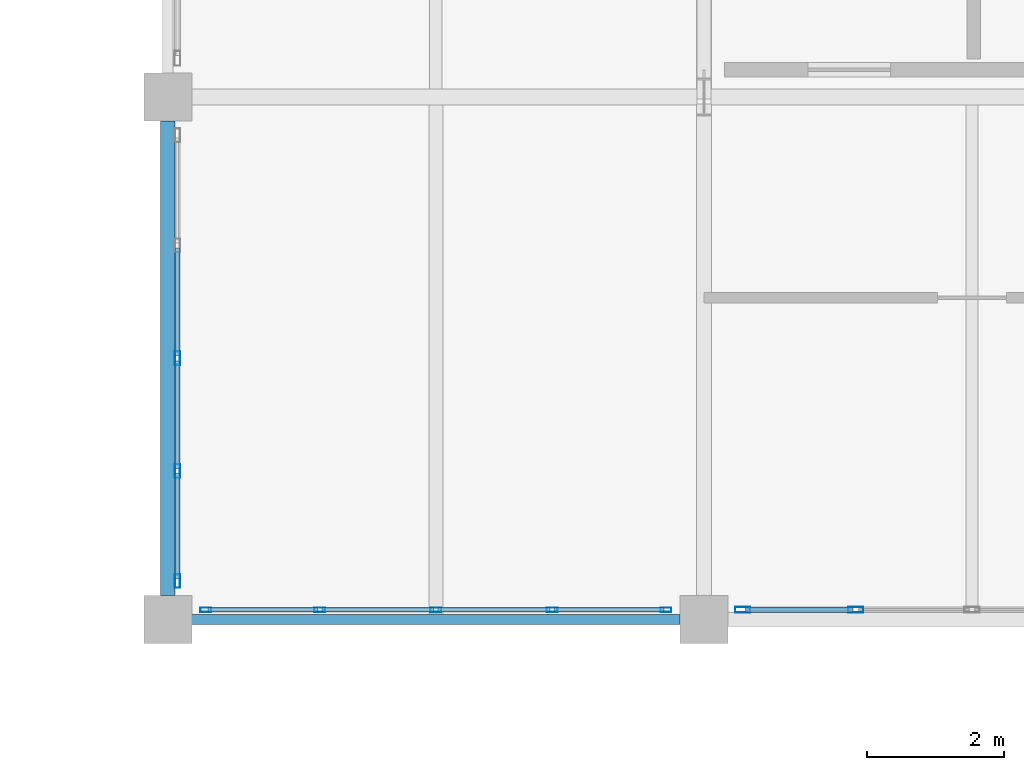
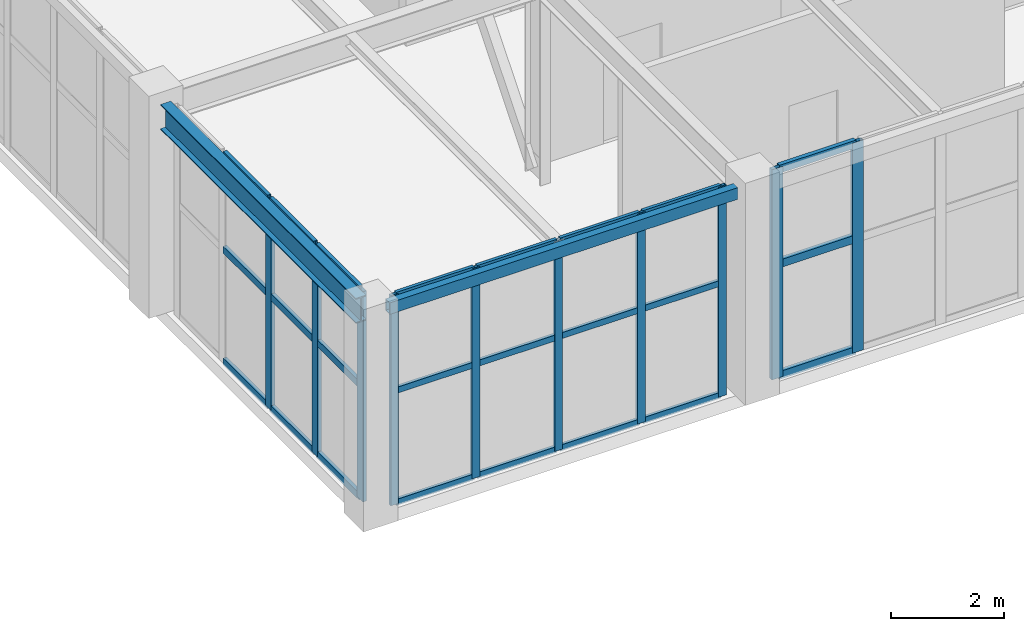
# One storey, part 41 of 72: 34 members, 2 beams, 3 elements without a shape of their own.
"""IFC4 building model written with IfcOpenShell, lengths in metres."""

from ifc_helpers import new_model, si_unit, direction, frame, origin, origin_2d, place, context, subcontext, project, spatial, hollow_rectangle, i_section, extrude, material, layer, layer_set, material_profile, profile_set, type_object, element, aggregate, save


model = new_model("IFC4")

# Units and contexts
model_context = context("Model", 3, precision=1e-05, world=origin(), true_north=direction((0.0, 1.0)))
body_context = subcontext(model_context, "Body", "Model", "MODEL_VIEW")
ifc_project = project(units=[si_unit("LENGTHUNIT", "METRE"), si_unit("AREAUNIT", "SQUARE_METRE"), si_unit("VOLUMEUNIT", "CUBIC_METRE"), si_unit("PLANEANGLEUNIT", "RADIAN"), si_unit("MASSUNIT", "GRAM", prefix="KILO")], contexts=[model_context])

# Site, building, storey
site_placement = place(None, origin())
site = spatial("IfcSite", under=ifc_project, at=site_placement, CompositionType="ELEMENT")
building_placement = place(site_placement, origin())
building = spatial("IfcBuilding", under=site, at=building_placement, Name="Xicomal Pleat Aquarium", CompositionType="ELEMENT")
storey_placement = place(building_placement, frame((0.0, 0.0, 10.5)))
storey = spatial("IfcBuildingStorey", under=building, at=storey_placement, Name="L03", CompositionType="ELEMENT", Elevation=10.5)

# Beams
ifc_material_1 = material(Name="Structural steel A992 Gr 50", Category="steel")
ifc_material_profile_1 = material_profile(ifc_material_1, i_section(OverallWidth=0.2119140625, OverallDepth=0.5439453125, WebThickness=0.01318359375, FlangeThickness=0.021240234375, at=origin_2d()), Name="IR 530x123")
ifc_profile_set_1 = profile_set([ifc_material_profile_1], Name="Structural steel A992 Gr 50")
beam_type_1 = type_object("IfcBeamType", Name="BM-STL-IR530", PredefinedType="BEAM", material=ifc_profile_set_1)
beam_1_placement = place(storey_placement, frame((133.800048828125, 76.344970703125, 4.26806640625), z_axis=(0.0, 1.0, 0.0), x_axis=(-1.0, 0.0, 0.0)))
element("IfcBeam", 1, at=beam_1_placement, inside=storey, type_object=beam_type_1, Name="L03 framing beam FGY-L03-17-L-M", PredefinedType="BEAM", context=body_context, shape_type="SweptSolid", body=[
    extrude(i_section(OverallWidth=0.2119140625, OverallDepth=0.5439453125, WebThickness=0.01318359375, FlangeThickness=0.021240234375, at=origin_2d()), origin(), (0.0, 0.0, 1.0), 6.909912109375),
])
ifc_material_2 = material(Name="Structural steel A500 Gr C", Category="steel")
ifc_material_profile_2 = material_profile(ifc_material_2, hollow_rectangle(XDim=0.14990234375, YDim=0.25, WallThickness=0.010009765625, at=origin_2d()), Name="OR 250x150x10")
ifc_profile_set_2 = profile_set([ifc_material_profile_2], Name="Structural steel A500 Gr C")
beam_type_2 = type_object("IfcBeamType", Name="BM-STL-OR250", PredefinedType="SPANDREL", material=ifc_profile_set_2)
beam_2_placement = place(storey_placement, frame((134.14501953125, 76.0, 4.4150390625), z_axis=(1.0, 0.0, 0.0), x_axis=(0.0, 1.0, 0.0)))
element("IfcBeam", 2, at=beam_2_placement, inside=storey, type_object=beam_type_2, Name="L03 framing beam FGX-L03-17-18-L", PredefinedType="SPANDREL", context=body_context, shape_type="SweptSolid", body=[
    extrude(hollow_rectangle(XDim=0.14990234375, YDim=0.25, WallThickness=0.010009765625, at=origin_2d()), origin(), (0.0, 0.0, 1.0), 7.10986328125),
])

# Curtain wall, members
ifc_material_3 = material(Name="Bronze anodized aluminium 6063-T6", Category="aluminium")
ifc_layer_1 = layer(ifc_material_3, 0.159912109375)
ifc_layer_set_1 = layer_set([ifc_layer_1], Name="Bronze anodized aluminium 6063-T6")
curtain_wall_type_1 = type_object("IfcCurtainWallType", Name="CW-SYS-03", PredefinedType="NOTDEFINED", material=ifc_layer_set_1)
curtain_wall_1_placement = place(storey_placement, origin())
curtain_wall_1 = element("IfcCurtainWall", 3, at=curtain_wall_1_placement, inside=storey, type_object=curtain_wall_type_1, Name="L03 unitised curtain wall CW-L03-153", PredefinedType="NOTDEFINED")
ifc_material_4 = material(Name="Bronze anodized aluminium 6063-T6", Category="aluminium")
ifc_material_profile_3 = material_profile(ifc_material_4, hollow_rectangle(XDim=0.06494140625, YDim=0.159912109375, WallThickness=0.00390625, at=origin_2d()), Name="ALU MULL 65x160")
ifc_profile_set_3 = profile_set([ifc_material_profile_3], Name="Bronze anodized aluminium 6063-T6")
member_type_1 = type_object("IfcMemberType", Name="CWM-65x160", PredefinedType="MULLION", material=ifc_profile_set_3)
member_1_placement = place(storey_placement, frame((141.047607421875, 76.139892578125, 0.0), z_axis=(0.0, 0.0, 1.0), x_axis=(0.0, -1.0, 0.0)))
member_1 = element("IfcMember", 4, at=member_1_placement, type_object=member_type_1, Name="CW-03 mullion 1", PredefinedType="MULLION", context=body_context, shape_type="SweptSolid", body=[
    extrude(hollow_rectangle(XDim=0.06494140625, YDim=0.159912109375, WallThickness=0.00390625, at=origin_2d()), origin(), (0.0, 0.0, 1.0), 4.5400390625),
])
member_2_placement = place(storey_placement, frame((139.389892578125, 76.139892578125, 0.0), z_axis=(0.0, 0.0, 1.0), x_axis=(0.0, -1.0, 0.0)))
member_2 = element("IfcMember", 5, at=member_2_placement, type_object=member_type_1, Name="CW-03 mullion 2", PredefinedType="MULLION", context=body_context, shape_type="SweptSolid", body=[
    extrude(hollow_rectangle(XDim=0.06494140625, YDim=0.159912109375, WallThickness=0.00390625, at=origin_2d()), origin(), (0.0, 0.0, 1.0), 4.5400390625),
])
member_3_placement = place(storey_placement, frame((137.699951171875, 76.139892578125, 0.0), z_axis=(0.0, 0.0, 1.0), x_axis=(0.0, -1.0, 0.0)))
member_3 = element("IfcMember", 6, at=member_3_placement, type_object=member_type_1, Name="CW-03 mullion 3", PredefinedType="MULLION", context=body_context, shape_type="SweptSolid", body=[
    extrude(hollow_rectangle(XDim=0.06494140625, YDim=0.159912109375, WallThickness=0.00390625, at=origin_2d()), origin(), (0.0, 0.0, 1.0), 4.5400390625),
])
member_4_placement = place(storey_placement, frame((136.010009765625, 76.139892578125, 0.0), z_axis=(0.0, 0.0, 1.0), x_axis=(0.0, -1.0, 0.0)))
member_4 = element("IfcMember", 7, at=member_4_placement, type_object=member_type_1, Name="CW-03 mullion 4", PredefinedType="MULLION", context=body_context, shape_type="SweptSolid", body=[
    extrude(hollow_rectangle(XDim=0.06494140625, YDim=0.159912109375, WallThickness=0.00390625, at=origin_2d()), origin(), (0.0, 0.0, 1.0), 4.5400390625),
])
member_5_placement = place(storey_placement, frame((134.3525390625, 76.139892578125, 0.0), z_axis=(0.0, 0.0, 1.0), x_axis=(0.0, -1.0, 0.0)))
member_5 = element("IfcMember", 8, at=member_5_placement, type_object=member_type_1, Name="CW-03 mullion 5", PredefinedType="MULLION", context=body_context, shape_type="SweptSolid", body=[
    extrude(hollow_rectangle(XDim=0.06494140625, YDim=0.159912109375, WallThickness=0.00390625, at=origin_2d()), origin(), (0.0, 0.0, 1.0), 4.5400390625),
])

ifc_material_5 = material(Name="Bronze anodized aluminium 6063-T6", Category="aluminium")
ifc_layer_2 = layer(ifc_material_5, 0.159912109375)
ifc_layer_set_2 = layer_set([ifc_layer_2], Name="Bronze anodized aluminium 6063-T6")
curtain_wall_type_2 = type_object("IfcCurtainWallType", Name="CW-SYS-08", PredefinedType="NOTDEFINED", material=ifc_layer_set_2)
curtain_wall_2_placement = place(storey_placement, origin())
curtain_wall_2 = element("IfcCurtainWall", 9, at=curtain_wall_2_placement, inside=storey, type_object=curtain_wall_type_2, Name="L03 unitised curtain wall CW-L03-154", PredefinedType="NOTDEFINED")
ifc_material_6 = material(Name="Bronze anodized aluminium 6063-T6", Category="aluminium")
ifc_material_profile_4 = material_profile(ifc_material_6, hollow_rectangle(XDim=0.074951171875, YDim=0.199951171875, WallThickness=0.00439453125, at=origin_2d()), Name="ALU MULL 75x200")
ifc_profile_set_4 = profile_set([ifc_material_profile_4], Name="Bronze anodized aluminium 6063-T6")
member_type_2 = type_object("IfcMemberType", Name="CWM-75x200", PredefinedType="MULLION", material=ifc_profile_set_4)
member_6_placement = place(storey_placement, frame((133.93994140625, 76.5576171875, 0.0), z_axis=(0.0, 0.0, 1.0), x_axis=(-1.0, 0.0, 0.0)))
member_6 = element("IfcMember", 10, at=member_6_placement, type_object=member_type_2, Name="CW-08 mullion 1", PredefinedType="MULLION", context=body_context, shape_type="SweptSolid", body=[
    extrude(hollow_rectangle(XDim=0.074951171875, YDim=0.199951171875, WallThickness=0.00439453125, at=origin_2d()), origin(), (0.0, 0.0, 1.0), 4.5400390625),
])
member_7_placement = place(storey_placement, frame((133.93994140625, 78.159912109375, 0.0), z_axis=(0.0, 0.0, 1.0), x_axis=(-1.0, 0.0, 0.0)))
member_7 = element("IfcMember", 11, at=member_7_placement, type_object=member_type_2, Name="CW-08 mullion 2", PredefinedType="MULLION", context=body_context, shape_type="SweptSolid", body=[
    extrude(hollow_rectangle(XDim=0.074951171875, YDim=0.199951171875, WallThickness=0.00439453125, at=origin_2d()), origin(), (0.0, 0.0, 1.0), 4.5400390625),
])
member_8_placement = place(storey_placement, frame((133.93994140625, 79.800048828125, 0.0), z_axis=(0.0, 0.0, 1.0), x_axis=(-1.0, 0.0, 0.0)))
member_8 = element("IfcMember", 12, at=member_8_placement, type_object=member_type_2, Name="CW-08 mullion 3", PredefinedType="MULLION", context=body_context, shape_type="SweptSolid", body=[
    extrude(hollow_rectangle(XDim=0.074951171875, YDim=0.199951171875, WallThickness=0.00439453125, at=origin_2d()), origin(), (0.0, 0.0, 1.0), 4.5400390625),
])

curtain_wall_3_placement = place(storey_placement, origin())
curtain_wall_3 = element("IfcCurtainWall", 13, at=curtain_wall_3_placement, inside=storey, type_object=curtain_wall_type_1, Name="L03 unitised curtain wall CW-L03-152", PredefinedType="NOTDEFINED")
ifc_material_7 = material(Name="Bronze anodized aluminium 6063-T6", Category="aluminium")
ifc_material_profile_5 = material_profile(ifc_material_7, hollow_rectangle(XDim=0.0849609375, YDim=0.219970703125, WallThickness=0.0048828125, at=origin_2d()), Name="ALU MULL 85x220")
ifc_profile_set_5 = profile_set([ifc_material_profile_5], Name="Bronze anodized aluminium 6063-T6")
member_type_3 = type_object("IfcMemberType", Name="CWM-85x220", PredefinedType="MULLION", material=ifc_profile_set_5)
member_9_placement = place(storey_placement, frame((143.81005859375, 76.139892578125, 0.0), z_axis=(0.0, 0.0, 1.0), x_axis=(0.0, -1.0, 0.0)))
member_9 = element("IfcMember", 14, at=member_9_placement, type_object=member_type_3, Name="CW-03 mullion 4", PredefinedType="MULLION", context=body_context, shape_type="SweptSolid", body=[
    extrude(hollow_rectangle(XDim=0.0849609375, YDim=0.219970703125, WallThickness=0.0048828125, at=origin_2d()), origin(), (0.0, 0.0, 1.0), 4.5400390625),
])
member_10_placement = place(storey_placement, frame((142.16259765625, 76.139892578125, 0.0), z_axis=(0.0, 0.0, 1.0), x_axis=(0.0, -1.0, 0.0)))
member_10 = element("IfcMember", 15, at=member_10_placement, type_object=member_type_3, Name="CW-03 mullion 5", PredefinedType="MULLION", context=body_context, shape_type="SweptSolid", body=[
    extrude(hollow_rectangle(XDim=0.0849609375, YDim=0.219970703125, WallThickness=0.0048828125, at=origin_2d()), origin(), (0.0, 0.0, 1.0), 4.5400390625),
])

# Member
ifc_material_8 = material(Name="Bronze anodized aluminium 6063-T6", Category="aluminium")
ifc_material_profile_6 = material_profile(ifc_material_8, hollow_rectangle(XDim=0.06494140625, YDim=0.1298828125, WallThickness=0.00390625, at=origin_2d()), Name="ALU TRAN 65x130")
ifc_profile_set_6 = profile_set([ifc_material_profile_6], Name="Bronze anodized aluminium 6063-T6")
member_type_4 = type_object("IfcMemberType", Name="CWT-65x130", PredefinedType="USERDEFINED", material=ifc_profile_set_6)
member_11_placement = place(storey_placement, frame((141.014892578125, 76.139892578125, 0.032470703125), z_axis=(-1.0, 0.0, 0.0), x_axis=(0.0, -1.0, 0.0)))
member_11 = element("IfcMember", 16, at=member_11_placement, type_object=member_type_4, Name="CW-03 transom 1.1", ObjectType="TRANSOM", PredefinedType="USERDEFINED", context=body_context, shape_type="SweptSolid", body=[
    extrude(hollow_rectangle(XDim=0.06494140625, YDim=0.1298828125, WallThickness=0.00390625, at=origin_2d()), origin(), (0.0, 0.0, 1.0), 1.59228515625),
])

member_12_placement = place(storey_placement, frame((141.014892578125, 76.139892578125, 2.451904296875), z_axis=(-1.0, 0.0, 0.0), x_axis=(0.0, -1.0, 0.0)))
member_12 = element("IfcMember", 17, at=member_12_placement, type_object=member_type_4, Name="CW-03 transom 1.2", ObjectType="TRANSOM", PredefinedType="USERDEFINED", context=body_context, shape_type="SweptSolid", body=[
    extrude(hollow_rectangle(XDim=0.06494140625, YDim=0.1298828125, WallThickness=0.00390625, at=origin_2d()), origin(), (0.0, 0.0, 1.0), 1.59228515625),
])

member_13_placement = place(storey_placement, frame((141.014892578125, 76.139892578125, 4.507568359375), z_axis=(-1.0, 0.0, 0.0), x_axis=(0.0, -1.0, 0.0)))
member_13 = element("IfcMember", 18, at=member_13_placement, type_object=member_type_4, Name="CW-03 transom 1.3", ObjectType="TRANSOM", PredefinedType="USERDEFINED", context=body_context, shape_type="SweptSolid", body=[
    extrude(hollow_rectangle(XDim=0.06494140625, YDim=0.1298828125, WallThickness=0.00390625, at=origin_2d()), origin(), (0.0, 0.0, 1.0), 1.59228515625),
])

member_14_placement = place(storey_placement, frame((139.357421875, 76.139892578125, 0.032470703125), z_axis=(-1.0, 0.0, 0.0), x_axis=(0.0, -1.0, 0.0)))
member_14 = element("IfcMember", 19, at=member_14_placement, type_object=member_type_4, Name="CW-03 transom 2.1", ObjectType="TRANSOM", PredefinedType="USERDEFINED", context=body_context, shape_type="SweptSolid", body=[
    extrude(hollow_rectangle(XDim=0.06494140625, YDim=0.1298828125, WallThickness=0.00390625, at=origin_2d()), origin(), (0.0, 0.0, 1.0), 1.625),
])

member_15_placement = place(storey_placement, frame((139.357421875, 76.139892578125, 2.451904296875), z_axis=(-1.0, 0.0, 0.0), x_axis=(0.0, -1.0, 0.0)))
member_15 = element("IfcMember", 20, at=member_15_placement, type_object=member_type_4, Name="CW-03 transom 2.2", ObjectType="TRANSOM", PredefinedType="USERDEFINED", context=body_context, shape_type="SweptSolid", body=[
    extrude(hollow_rectangle(XDim=0.06494140625, YDim=0.1298828125, WallThickness=0.00390625, at=origin_2d()), origin(), (0.0, 0.0, 1.0), 1.625),
])

member_16_placement = place(storey_placement, frame((139.357421875, 76.139892578125, 4.507568359375), z_axis=(-1.0, 0.0, 0.0), x_axis=(0.0, -1.0, 0.0)))
member_16 = element("IfcMember", 21, at=member_16_placement, type_object=member_type_4, Name="CW-03 transom 2.3", ObjectType="TRANSOM", PredefinedType="USERDEFINED", context=body_context, shape_type="SweptSolid", body=[
    extrude(hollow_rectangle(XDim=0.06494140625, YDim=0.1298828125, WallThickness=0.00390625, at=origin_2d()), origin(), (0.0, 0.0, 1.0), 1.625),
])

member_17_placement = place(storey_placement, frame((137.66748046875, 76.139892578125, 0.032470703125), z_axis=(-1.0, 0.0, 0.0), x_axis=(0.0, -1.0, 0.0)))
member_17 = element("IfcMember", 22, at=member_17_placement, type_object=member_type_4, Name="CW-03 transom 3.1", ObjectType="TRANSOM", PredefinedType="USERDEFINED", context=body_context, shape_type="SweptSolid", body=[
    extrude(hollow_rectangle(XDim=0.06494140625, YDim=0.1298828125, WallThickness=0.00390625, at=origin_2d()), origin(), (0.0, 0.0, 1.0), 1.625),
])

member_18_placement = place(storey_placement, frame((137.66748046875, 76.139892578125, 2.451904296875), z_axis=(-1.0, 0.0, 0.0), x_axis=(0.0, -1.0, 0.0)))
member_18 = element("IfcMember", 23, at=member_18_placement, type_object=member_type_4, Name="CW-03 transom 3.2", ObjectType="TRANSOM", PredefinedType="USERDEFINED", context=body_context, shape_type="SweptSolid", body=[
    extrude(hollow_rectangle(XDim=0.06494140625, YDim=0.1298828125, WallThickness=0.00390625, at=origin_2d()), origin(), (0.0, 0.0, 1.0), 1.625),
])

member_19_placement = place(storey_placement, frame((137.66748046875, 76.139892578125, 4.507568359375), z_axis=(-1.0, 0.0, 0.0), x_axis=(0.0, -1.0, 0.0)))
member_19 = element("IfcMember", 24, at=member_19_placement, type_object=member_type_4, Name="CW-03 transom 3.3", ObjectType="TRANSOM", PredefinedType="USERDEFINED", context=body_context, shape_type="SweptSolid", body=[
    extrude(hollow_rectangle(XDim=0.06494140625, YDim=0.1298828125, WallThickness=0.00390625, at=origin_2d()), origin(), (0.0, 0.0, 1.0), 1.625),
])

member_20_placement = place(storey_placement, frame((135.9775390625, 76.139892578125, 0.032470703125), z_axis=(-1.0, 0.0, 0.0), x_axis=(0.0, -1.0, 0.0)))
member_20 = element("IfcMember", 25, at=member_20_placement, type_object=member_type_4, Name="CW-03 transom 4.1", ObjectType="TRANSOM", PredefinedType="USERDEFINED", context=body_context, shape_type="SweptSolid", body=[
    extrude(hollow_rectangle(XDim=0.06494140625, YDim=0.1298828125, WallThickness=0.00390625, at=origin_2d()), origin(), (0.0, 0.0, 1.0), 1.592529296875),
])

member_21_placement = place(storey_placement, frame((135.9775390625, 76.139892578125, 2.451904296875), z_axis=(-1.0, 0.0, 0.0), x_axis=(0.0, -1.0, 0.0)))
member_21 = element("IfcMember", 26, at=member_21_placement, type_object=member_type_4, Name="CW-03 transom 4.2", ObjectType="TRANSOM", PredefinedType="USERDEFINED", context=body_context, shape_type="SweptSolid", body=[
    extrude(hollow_rectangle(XDim=0.06494140625, YDim=0.1298828125, WallThickness=0.00390625, at=origin_2d()), origin(), (0.0, 0.0, 1.0), 1.592529296875),
])

member_22_placement = place(storey_placement, frame((135.9775390625, 76.139892578125, 4.507568359375), z_axis=(-1.0, 0.0, 0.0), x_axis=(0.0, -1.0, 0.0)))
member_22 = element("IfcMember", 27, at=member_22_placement, type_object=member_type_4, Name="CW-03 transom 4.3", ObjectType="TRANSOM", PredefinedType="USERDEFINED", context=body_context, shape_type="SweptSolid", body=[
    extrude(hollow_rectangle(XDim=0.06494140625, YDim=0.1298828125, WallThickness=0.00390625, at=origin_2d()), origin(), (0.0, 0.0, 1.0), 1.592529296875),
])

aggregate(curtain_wall_1, [member_1, member_2, member_3, member_4, member_5, member_11, member_12, member_13, member_14, member_15, member_16, member_17, member_18, member_19, member_20, member_21, member_22])

ifc_material_9 = material(Name="Bronze anodized aluminium 6063-T6", Category="aluminium")
ifc_material_profile_7 = material_profile(ifc_material_9, hollow_rectangle(XDim=0.074951171875, YDim=0.14990234375, WallThickness=0.00439453125, at=origin_2d()), Name="ALU TRAN 75x150")
ifc_profile_set_7 = profile_set([ifc_material_profile_7], Name="Bronze anodized aluminium 6063-T6")
member_type_5 = type_object("IfcMemberType", Name="CWT-75x150", PredefinedType="USERDEFINED", material=ifc_profile_set_7)
member_23_placement = place(storey_placement, frame((133.93994140625, 76.594970703125, 0.03759765625), z_axis=(0.0, 1.0, 0.0), x_axis=(-1.0, 0.0, 0.0)))
member_23 = element("IfcMember", 28, at=member_23_placement, type_object=member_type_5, Name="CW-08 transom 1.1", ObjectType="TRANSOM", PredefinedType="USERDEFINED", context=body_context, shape_type="SweptSolid", body=[
    extrude(hollow_rectangle(XDim=0.074951171875, YDim=0.14990234375, WallThickness=0.00439453125, at=origin_2d()), origin(), (0.0, 0.0, 1.0), 1.527587890625),
])

member_24_placement = place(storey_placement, frame((133.93994140625, 76.594970703125, 2.451904296875), z_axis=(0.0, 1.0, 0.0), x_axis=(-1.0, 0.0, 0.0)))
member_24 = element("IfcMember", 29, at=member_24_placement, type_object=member_type_5, Name="CW-08 transom 1.2", ObjectType="TRANSOM", PredefinedType="USERDEFINED", context=body_context, shape_type="SweptSolid", body=[
    extrude(hollow_rectangle(XDim=0.074951171875, YDim=0.14990234375, WallThickness=0.00439453125, at=origin_2d()), origin(), (0.0, 0.0, 1.0), 1.527587890625),
])

member_25_placement = place(storey_placement, frame((133.93994140625, 76.594970703125, 4.50244140625), z_axis=(0.0, 1.0, 0.0), x_axis=(-1.0, 0.0, 0.0)))
member_25 = element("IfcMember", 30, at=member_25_placement, type_object=member_type_5, Name="CW-08 transom 1.3", ObjectType="TRANSOM", PredefinedType="USERDEFINED", context=body_context, shape_type="SweptSolid", body=[
    extrude(hollow_rectangle(XDim=0.074951171875, YDim=0.14990234375, WallThickness=0.00439453125, at=origin_2d()), origin(), (0.0, 0.0, 1.0), 1.527587890625),
])

member_26_placement = place(storey_placement, frame((133.93994140625, 78.197509765625, 0.03759765625), z_axis=(0.0, 1.0, 0.0), x_axis=(-1.0, 0.0, 0.0)))
member_26 = element("IfcMember", 31, at=member_26_placement, type_object=member_type_5, Name="CW-08 transom 2.1", ObjectType="TRANSOM", PredefinedType="USERDEFINED", context=body_context, shape_type="SweptSolid", body=[
    extrude(hollow_rectangle(XDim=0.074951171875, YDim=0.14990234375, WallThickness=0.00439453125, at=origin_2d()), origin(), (0.0, 0.0, 1.0), 1.56494140625),
])

member_27_placement = place(storey_placement, frame((133.93994140625, 78.197509765625, 2.451904296875), z_axis=(0.0, 1.0, 0.0), x_axis=(-1.0, 0.0, 0.0)))
member_27 = element("IfcMember", 32, at=member_27_placement, type_object=member_type_5, Name="CW-08 transom 2.2", ObjectType="TRANSOM", PredefinedType="USERDEFINED", context=body_context, shape_type="SweptSolid", body=[
    extrude(hollow_rectangle(XDim=0.074951171875, YDim=0.14990234375, WallThickness=0.00439453125, at=origin_2d()), origin(), (0.0, 0.0, 1.0), 1.56494140625),
])

member_28_placement = place(storey_placement, frame((133.93994140625, 78.197509765625, 4.50244140625), z_axis=(0.0, 1.0, 0.0), x_axis=(-1.0, 0.0, 0.0)))
member_28 = element("IfcMember", 33, at=member_28_placement, type_object=member_type_5, Name="CW-08 transom 2.3", ObjectType="TRANSOM", PredefinedType="USERDEFINED", context=body_context, shape_type="SweptSolid", body=[
    extrude(hollow_rectangle(XDim=0.074951171875, YDim=0.14990234375, WallThickness=0.00439453125, at=origin_2d()), origin(), (0.0, 0.0, 1.0), 1.56494140625),
])

member_29_placement = place(storey_placement, frame((133.93994140625, 79.83740234375, 0.03759765625), z_axis=(0.0, 1.0, 0.0), x_axis=(-1.0, 0.0, 0.0)))
member_29 = element("IfcMember", 34, at=member_29_placement, type_object=member_type_5, Name="CW-08 transom 3.1", ObjectType="TRANSOM", PredefinedType="USERDEFINED", context=body_context, shape_type="SweptSolid", body=[
    extrude(hollow_rectangle(XDim=0.074951171875, YDim=0.14990234375, WallThickness=0.00439453125, at=origin_2d()), origin(), (0.0, 0.0, 1.0), 1.565185546875),
])

member_30_placement = place(storey_placement, frame((133.93994140625, 79.83740234375, 2.451904296875), z_axis=(0.0, 1.0, 0.0), x_axis=(-1.0, 0.0, 0.0)))
member_30 = element("IfcMember", 35, at=member_30_placement, type_object=member_type_5, Name="CW-08 transom 3.2", ObjectType="TRANSOM", PredefinedType="USERDEFINED", context=body_context, shape_type="SweptSolid", body=[
    extrude(hollow_rectangle(XDim=0.074951171875, YDim=0.14990234375, WallThickness=0.00439453125, at=origin_2d()), origin(), (0.0, 0.0, 1.0), 1.565185546875),
])

member_31_placement = place(storey_placement, frame((133.93994140625, 79.83740234375, 4.50244140625), z_axis=(0.0, 1.0, 0.0), x_axis=(-1.0, 0.0, 0.0)))
member_31 = element("IfcMember", 36, at=member_31_placement, type_object=member_type_5, Name="CW-08 transom 3.3", ObjectType="TRANSOM", PredefinedType="USERDEFINED", context=body_context, shape_type="SweptSolid", body=[
    extrude(hollow_rectangle(XDim=0.074951171875, YDim=0.14990234375, WallThickness=0.00439453125, at=origin_2d()), origin(), (0.0, 0.0, 1.0), 1.565185546875),
])

aggregate(curtain_wall_2, [member_6, member_7, member_8, member_23, member_24, member_25, member_26, member_27, member_28, member_29, member_30, member_31])

ifc_material_10 = material(Name="Bronze anodized aluminium 6063-T6", Category="aluminium")
ifc_material_profile_8 = material_profile(ifc_material_10, hollow_rectangle(XDim=0.0849609375, YDim=0.169921875, WallThickness=0.0048828125, at=origin_2d()), Name="ALU TRAN 85x170")
ifc_profile_set_8 = profile_set([ifc_material_profile_8], Name="Bronze anodized aluminium 6063-T6")
member_type_6 = type_object("IfcMemberType", Name="CWT-85x170", PredefinedType="USERDEFINED", material=ifc_profile_set_8)
member_32_placement = place(storey_placement, frame((143.767578125, 76.139892578125, 0.04248046875), z_axis=(-1.0, 0.0, 0.0), x_axis=(0.0, -1.0, 0.0)))
member_32 = element("IfcMember", 37, at=member_32_placement, type_object=member_type_6, Name="CW-03 transom 4.1", ObjectType="TRANSOM", PredefinedType="USERDEFINED", context=body_context, shape_type="SweptSolid", body=[
    extrude(hollow_rectangle(XDim=0.0849609375, YDim=0.169921875, WallThickness=0.0048828125, at=origin_2d()), origin(), (0.0, 0.0, 1.0), 1.5625),
])

member_33_placement = place(storey_placement, frame((143.767578125, 76.139892578125, 2.451904296875), z_axis=(-1.0, 0.0, 0.0), x_axis=(0.0, -1.0, 0.0)))
member_33 = element("IfcMember", 38, at=member_33_placement, type_object=member_type_6, Name="CW-03 transom 4.2", ObjectType="TRANSOM", PredefinedType="USERDEFINED", context=body_context, shape_type="SweptSolid", body=[
    extrude(hollow_rectangle(XDim=0.0849609375, YDim=0.169921875, WallThickness=0.0048828125, at=origin_2d()), origin(), (0.0, 0.0, 1.0), 1.5625),
])

member_34_placement = place(storey_placement, frame((143.767578125, 76.139892578125, 4.49755859375), z_axis=(-1.0, 0.0, 0.0), x_axis=(0.0, -1.0, 0.0)))
member_34 = element("IfcMember", 39, at=member_34_placement, type_object=member_type_6, Name="CW-03 transom 4.3", ObjectType="TRANSOM", PredefinedType="USERDEFINED", context=body_context, shape_type="SweptSolid", body=[
    extrude(hollow_rectangle(XDim=0.0849609375, YDim=0.169921875, WallThickness=0.0048828125, at=origin_2d()), origin(), (0.0, 0.0, 1.0), 1.5625),
])

aggregate(curtain_wall_3, [member_9, member_10, member_32, member_33, member_34])

save(model, "model.ifc")
